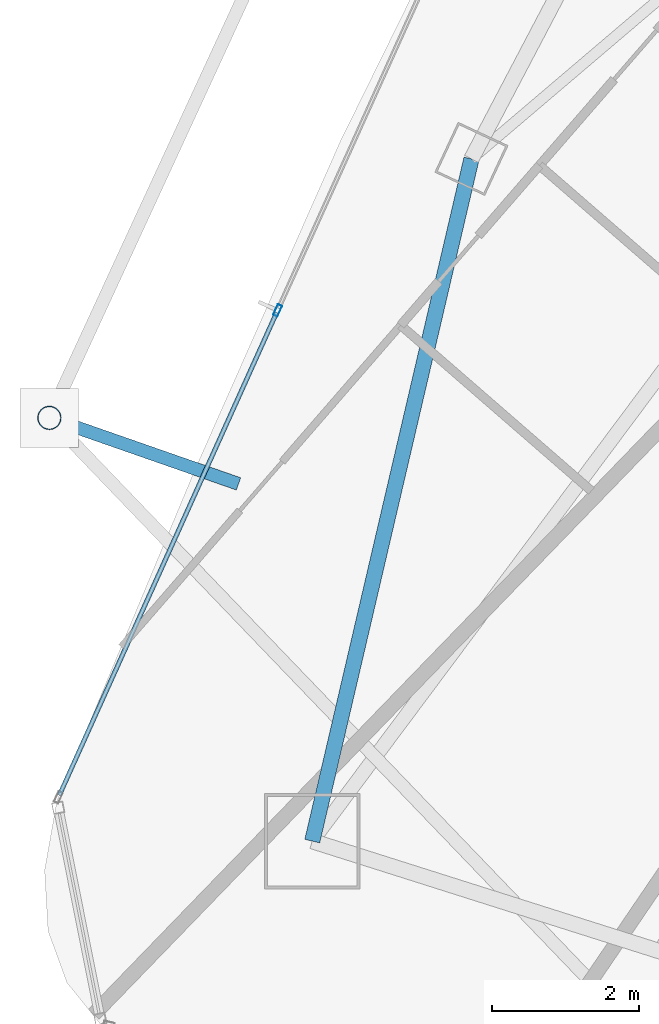
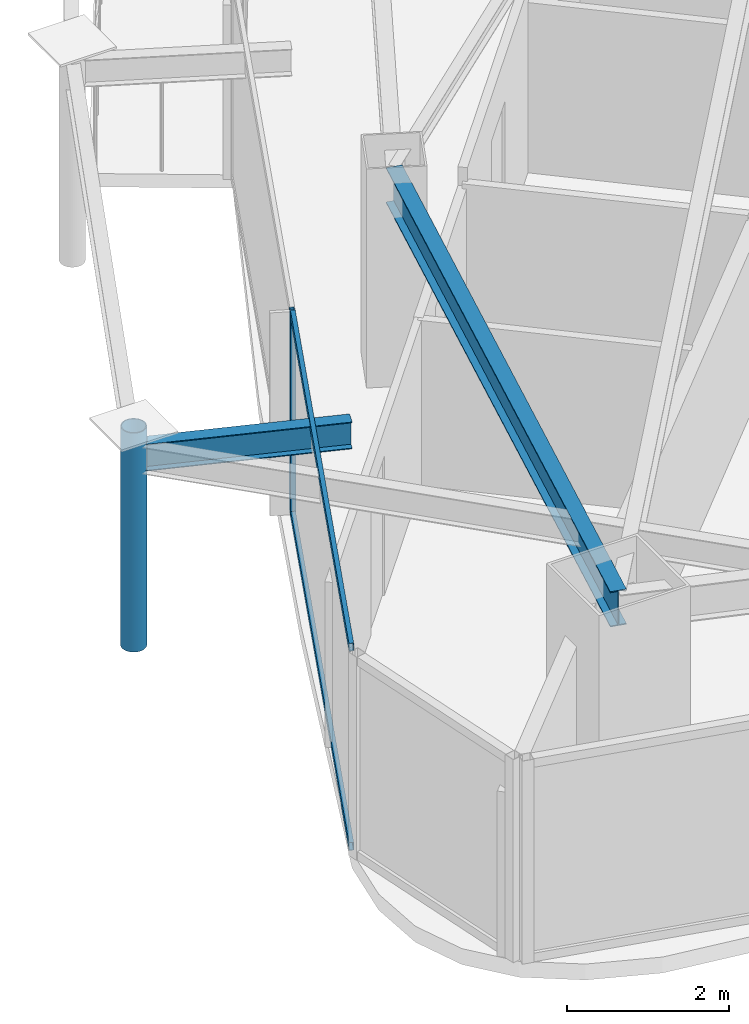
# One storey, part 5 of 29: 4 members, 2 beams, 1 element without a shape of its own.
"""IFC4 building model written with IfcOpenShell, lengths in metres."""

from ifc_helpers import new_model, si_unit, direction, frame, origin, origin_2d, place, context, subcontext, project, spatial, hollow_rectangle, hollow_circle, i_section, extrude, material, layer, layer_set, material_profile, profile_set, type_object, element, aggregate, save


model = new_model("IFC4")

# Units and contexts
model_context = context("Model", 3, precision=1e-05, world=origin(), true_north=direction((0.0, 1.0)))
body_context = subcontext(model_context, "Body", "Model", "MODEL_VIEW")
ifc_project = project(units=[si_unit("LENGTHUNIT", "METRE"), si_unit("AREAUNIT", "SQUARE_METRE"), si_unit("VOLUMEUNIT", "CUBIC_METRE"), si_unit("PLANEANGLEUNIT", "RADIAN"), si_unit("MASSUNIT", "GRAM", prefix="KILO")], contexts=[model_context])

# Site, building, storey
site_placement = place(None, origin())
site = spatial("IfcSite", under=ifc_project, at=site_placement, CompositionType="ELEMENT")
building_placement = place(site_placement, origin())
building = spatial("IfcBuilding", under=site, at=building_placement, Name="Orvanel Arch Residences", CompositionType="ELEMENT")
storey_placement = place(building_placement, frame((0.0, 0.0, 246.949951171875)))
storey = spatial("IfcBuildingStorey", under=building, at=storey_placement, Name="L70", CompositionType="ELEMENT", Elevation=246.949951171875)

# Curtain wall, member
ifc_material_1 = material(Name="Bronze-anodised aluminium AA6063-T6", Category="aluminium")
ifc_layer = layer(ifc_material_1, 0.175048828125)
ifc_layer_set = layer_set([ifc_layer], Name="Bronze-anodised aluminium AA6063-T6")
curtain_wall_type = type_object("IfcCurtainWallType", Name="CW4-HI-SYS", PredefinedType="NOTDEFINED", material=ifc_layer_set)
curtain_wall_placement = place(storey_placement, origin())
curtain_wall = element("IfcCurtainWall", 1, at=curtain_wall_placement, inside=storey, type_object=curtain_wall_type, Name="L70 CW4-HI-SYS Unitised Curtain Wall", PredefinedType="NOTDEFINED")
ifc_material_profile_1 = material_profile(ifc_material_1, hollow_rectangle(XDim=0.06494140625, YDim=0.159912109375, WallThickness=0.00390625, at=origin_2d()), Name="ALU160x65x4")
ifc_profile_set_1 = profile_set([ifc_material_profile_1], Name="Bronze-anodised aluminium AA6063-T6")
member_type_1 = type_object("IfcMemberType", Name="MUL-160x65", PredefinedType="MULLION", material=ifc_profile_set_1)
member_1_placement = place(storey_placement, frame((13.7275390625, 17.57861328125, 0.0), z_axis=(0.0, 0.0, 1.0), x_axis=(0.911827998826, -0.410572405987, 0.0)))
member_1 = element("IfcMember", 2, at=member_1_placement, type_object=member_type_1, Name="CW-S4 mullion 2", PredefinedType="MULLION", context=body_context, shape_type="SweptSolid", body=[
    extrude(hollow_rectangle(XDim=0.06494140625, YDim=0.159912109375, WallThickness=0.00390625, at=origin_2d()), origin(), (0.0, 0.0, 1.0), 3.06005859375),
])

# Beams
ifc_material_2 = material(Name="Structural steel AS/NZS 3679.1 Grade 300 (300 MPa)", Category="steel")
ifc_material_profile_2 = material_profile(ifc_material_2, i_section(OverallWidth=0.177978515625, OverallDepth=0.406005859375, WebThickness=0.0078125, FlangeThickness=0.0126953125, at=origin_2d()), Name="410UB59.7")
ifc_profile_set_2 = profile_set([ifc_material_profile_2], Name="Structural steel AS/NZS 3679.1 Grade 300 (300 MPa)")
beam_type_1 = type_object("IfcBeamType", Name="OB-410UB-EXT", PredefinedType="SPANDREL", material=ifc_profile_set_2)
beam_1_placement = place(storey_placement, frame((13.195068359375, 15.216064453125, 2.85693359375), z_axis=(-0.944170409159, 0.329457491141, 0.0), x_axis=(-0.329457491141, -0.944170409159, 0.0)))
element("IfcBeam", 3, at=beam_1_placement, inside=storey, type_object=beam_type_1, Name="L70 Outer Frame Radial Tie Beam 04", PredefinedType="SPANDREL", context=body_context, shape_type="SweptSolid", body=[
    extrude(i_section(OverallWidth=0.177978515625, OverallDepth=0.406005859375, WebThickness=0.0078125, FlangeThickness=0.0126953125, at=origin_2d()), origin(), (0.0, 0.0, 1.0), 2.728515625),
])
ifc_material_profile_3 = material_profile(ifc_material_2, i_section(OverallWidth=0.208984375, OverallDepth=0.532958984375, WebThickness=0.01025390625, FlangeThickness=0.015625, at=origin_2d()), Name="530UB92.4")
ifc_profile_set_3 = profile_set([ifc_material_profile_3], Name="Structural steel AS/NZS 3679.1 Grade 300 (300 MPa)")
beam_type_2 = type_object("IfcBeamType", Name="SP-530UB", PredefinedType="SPANDREL", material=ifc_profile_set_3)
beam_2_placement = place(storey_placement, frame((16.366943359375, 19.64208984375, 2.79296875), z_axis=(-0.227236087167, -0.973839699688, 0.0), x_axis=(0.973839699688, -0.227236087167, 0.0)))
element("IfcBeam", 4, at=beam_2_placement, inside=storey, type_object=beam_type_2, Name="L70 Perimeter Spandrel Beam 01", PredefinedType="SPANDREL", context=body_context, shape_type="SweptSolid", body=[
    extrude(i_section(OverallWidth=0.208984375, OverallDepth=0.532958984375, WebThickness=0.01025390625, FlangeThickness=0.015625, at=origin_2d()), origin(), (0.0, 0.0, 1.0), 9.54052734375),
])

# Member
ifc_material_3 = material(Name="Structural steel AS/NZS 1163 C350L0 (Grade 350)", Category="steel")
ifc_material_profile_4 = material_profile(ifc_material_3, hollow_circle(Radius=0.162109375, WallThickness=0.0126953125, at=origin_2d()), Name="CHS324x12.7")
ifc_profile_set_4 = profile_set([ifc_material_profile_4], Name="Structural steel AS/NZS 1163 C350L0 (Grade 350)")
member_type_2 = type_object("IfcMemberType", Name="ST-324CHS-EXT", PredefinedType="STRUT", material=ifc_profile_set_4)
member_2_placement = place(storey_placement, frame((10.618896484375, 16.114990234375, 0.0), z_axis=(0.0, 0.0, 1.0), x_axis=(1.0, 0.0, 0.0)))
element("IfcMember", 5, at=member_2_placement, inside=storey, type_object=member_type_2, Name="L70 Outer Perimeter Frame Post 04", PredefinedType="STRUT", context=body_context, shape_type="SweptSolid", body=[
    extrude(hollow_circle(Radius=0.162109375, WallThickness=0.0126953125, at=origin_2d()), origin(), (0.0, 0.0, 1.0), 3.300048828125),
])

ifc_material_profile_5 = material_profile(ifc_material_1, hollow_rectangle(XDim=0.06005859375, YDim=0.1201171875, WallThickness=0.00341796875, at=origin_2d()), Name="ALU120x60x3.5")
ifc_profile_set_5 = profile_set([ifc_material_profile_5], Name="Bronze-anodised aluminium AA6063-T6")
member_type_3 = type_object("IfcMemberType", Name="TRN-120x60", PredefinedType="USERDEFINED", material=ifc_profile_set_5)
member_3_placement = place(storey_placement, frame((13.714111328125, 17.548828125, 0.030029296875), z_axis=(-0.410577324573, -0.911825784098, 0.0), x_axis=(0.911825784098, -0.410577324573, 0.0)))
member_3 = element("IfcMember", 6, at=member_3_placement, type_object=member_type_3, Name="CW-S4 transom 2.1", ObjectType="TRANSOM", PredefinedType="USERDEFINED", context=body_context, shape_type="SweptSolid", body=[
    extrude(hollow_rectangle(XDim=0.06005859375, YDim=0.1201171875, WallThickness=0.00341796875, at=origin_2d()), origin(), (0.0, 0.0, 1.0), 7.2080078125),
])

member_4_placement = place(storey_placement, frame((13.714111328125, 17.548828125, 3.030029296875), z_axis=(-0.410577324573, -0.911825784098, 0.0), x_axis=(0.911825784098, -0.410577324573, 0.0)))
member_4 = element("IfcMember", 7, at=member_4_placement, type_object=member_type_3, Name="CW-S4 transom 2.2", ObjectType="TRANSOM", PredefinedType="USERDEFINED", context=body_context, shape_type="SweptSolid", body=[
    extrude(hollow_rectangle(XDim=0.06005859375, YDim=0.1201171875, WallThickness=0.00341796875, at=origin_2d()), origin(), (0.0, 0.0, 1.0), 7.2080078125),
])

aggregate(curtain_wall, [member_1, member_3, member_4])

save(model, "model.ifc")
